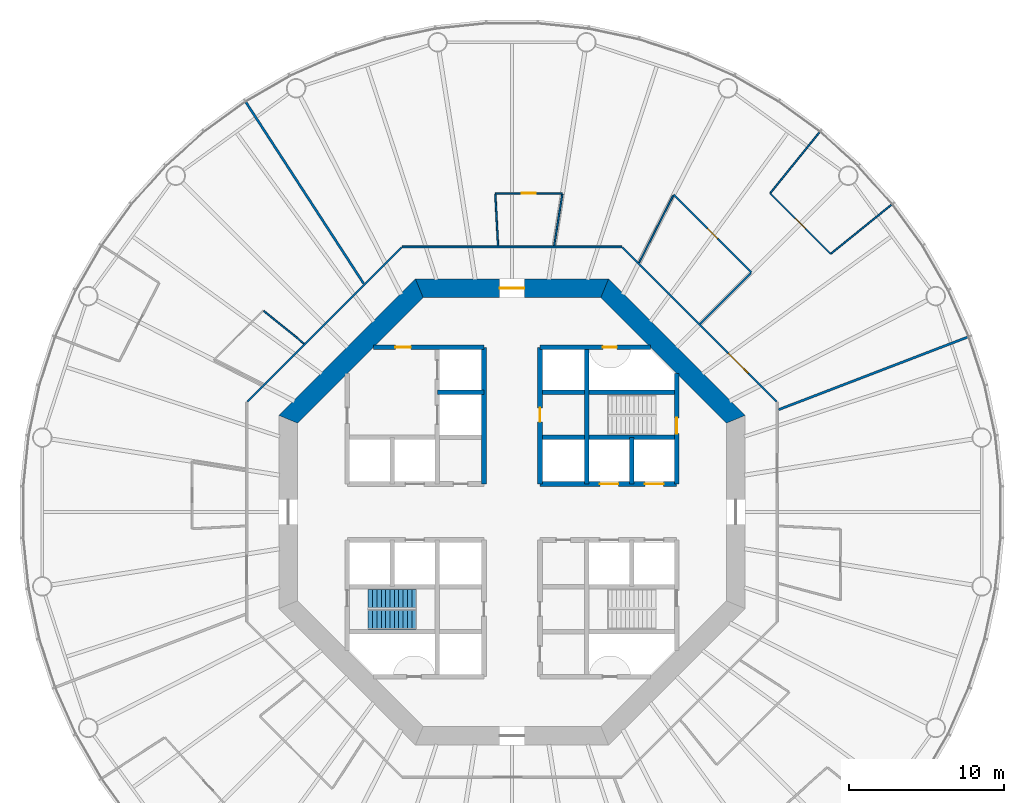
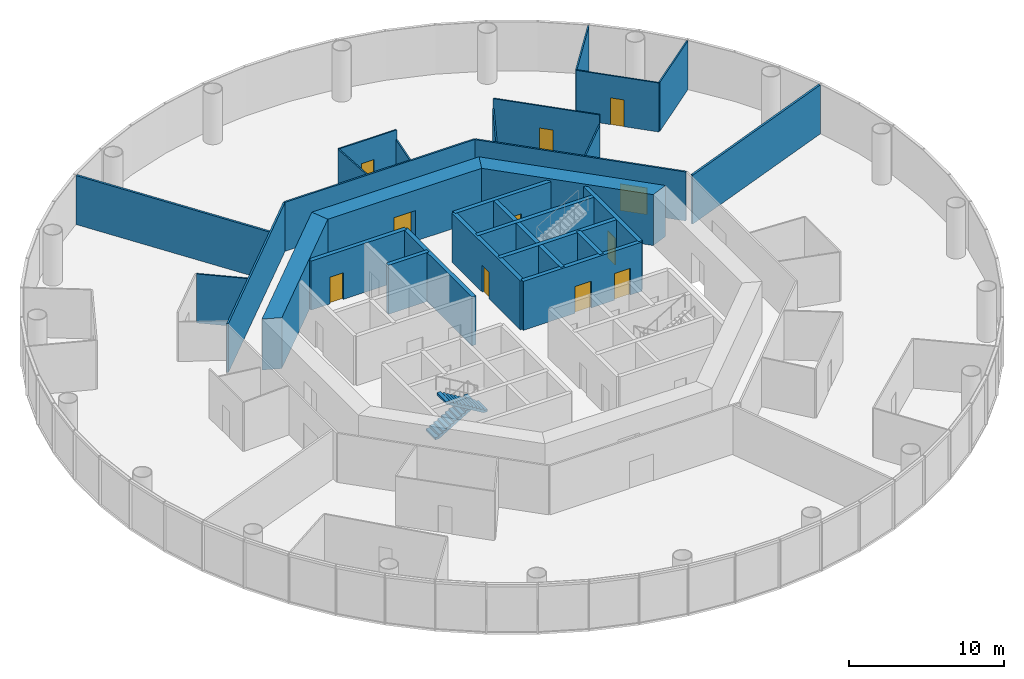
# One storey, part 5 of 13: 29 walls, 11 doors, 2 stair flights, 11 openings, 1 element without a shape of its own.
"""IFC4 building model written with IfcOpenShell, lengths in metres."""

from ifc_helpers import new_model, si_unit, direction, frame, frame_2d, origin, place, context, subcontext, project, spatial, polyline, rectangle, outline, extrude, material, layer, layer_set, type_object, element, fill, aggregate, save


model = new_model("IFC4")

# Units and contexts
model_context = context("Model", 3, precision=1e-05, world=origin(), true_north=direction((0.0, 1.0)))
body_context = subcontext(model_context, "Body", "Model", "MODEL_VIEW")
ifc_project = project(units=[si_unit("LENGTHUNIT", "METRE"), si_unit("AREAUNIT", "SQUARE_METRE"), si_unit("VOLUMEUNIT", "CUBIC_METRE"), si_unit("PLANEANGLEUNIT", "RADIAN"), si_unit("MASSUNIT", "GRAM", prefix="KILO")], contexts=[model_context])

# Site, building, storey
site_placement = place(None, origin())
site = spatial("IfcSite", under=ifc_project, at=site_placement, CompositionType="ELEMENT")
building_placement = place(site_placement, origin())
building = spatial("IfcBuilding", under=site, at=building_placement, Name="Entoto Ring Tower", CompositionType="ELEMENT")
storey_placement = place(building_placement, frame((0.0, 0.0, 104.0)))
storey = spatial("IfcBuildingStorey", under=building, at=storey_placement, Name="L23", CompositionType="ELEMENT", Elevation=104.0)

# Wall, opening, door
ifc_material_1 = material(Name="Concrete C40/50", Category="concrete")
ifc_layer_1 = layer(ifc_material_1, 0.300048828125)
ifc_layer_set_1 = layer_set([ifc_layer_1], Name="Concrete C40/50")
wall_type_1 = type_object("IfcWallType", Name="Core enclosure wall 300 mm reinforced concrete", PredefinedType="SOLIDWALL", material=ifc_layer_set_1)
wall_1_placement = place(storey_placement, frame((100.60009765625, 81.800048828125, 0.0), z_axis=(0.0, 0.0, 1.0), x_axis=(0.0, 1.0, 0.0)))
wall_1 = element("IfcWall", 1, at=wall_1_placement, inside=storey, type_object=wall_type_1, Name="wall-L23-002", PredefinedType="SOLIDWALL", context=body_context, shape_type="SweptSolid", body=[
    extrude(rectangle(XDim=7.115966796875, YDim=0.300048828125, at=frame_2d((3.55810546875, 0.0))), origin(), (0.0, 0.0, 1.0), 3.85009765625),
])
opening_1_placement = place(wall_1_placement, frame((3.25, 0.0, 0.0)))
opening_1 = element("IfcOpeningElement", 2, at=opening_1_placement, cuts=wall_1, Name="Opening K-17", PredefinedType="OPENING", context=body_context, shape_type="SweptSolid", body=[
    extrude(rectangle(XDim=1.0, YDim=2.10009765625, at=frame_2d((0.5, 1.050048828125))), frame((0.0, 0.16015625, 0.0), z_axis=(0.0, -1.0, 0.0), x_axis=(1.0, 0.0, 0.0)), (0.0, 0.0, 1.0), 0.320068359375),
])
ifc_material_2 = material(Name="Steel door leaf, fire rated", Category="steel")
ifc_layer_2 = layer(ifc_material_2, 0.050048828125)
ifc_layer_set_2 = layer_set([ifc_layer_2], Name="Steel door leaf, fire rated")
door_type_1 = type_object("IfcDoorType", Name="Fire door FD60 1000 x 2100 single leaf", OperationType="NOTDEFINED", PredefinedType="DOOR", material=ifc_layer_set_2)
door_1_placement = place(opening_1_placement, origin())
door_1 = element("IfcDoor", 3, at=door_1_placement, inside=storey, type_object=door_type_1, Name="Door K-17", OperationType="SINGLE_SWING_RIGHT", OverallHeight=2.10009765625, OverallWidth=1.0, PredefinedType="DOOR", context=body_context, shape_type="SweptSolid", body=[
    extrude(rectangle(XDim=1.0, YDim=2.10009765625, at=frame_2d((0.5, 1.050048828125))), frame((0.0, 0.02490234375, 0.0), z_axis=(0.0, -1.0, 0.0), x_axis=(1.0, 0.0, 0.0)), (0.0, 0.0, 1.0), 0.050048828125),
])
fill(opening_1, door_1)

# Walls
wall_2_placement = place(storey_placement, frame((97.699951171875, 81.800048828125, 0.0), z_axis=(0.0, 0.0, 1.0), x_axis=(0.0, 1.0, 0.0)))
element("IfcWall", 4, at=wall_2_placement, inside=storey, type_object=wall_type_1, Name="wall-L23-004", PredefinedType="SOLIDWALL", context=body_context, shape_type="SweptSolid", body=[
    extrude(rectangle(XDim=3.0, YDim=0.300048828125, at=frame_2d((1.5, 0.0))), origin(), (0.0, 0.0, 1.0), 3.85009765625),
])
wall_3_placement = place(storey_placement, frame((94.800048828125, 81.800048828125, 0.0), z_axis=(0.0, 0.0, 1.0), x_axis=(0.0, 1.0, 0.0)))
element("IfcWall", 5, at=wall_3_placement, inside=storey, type_object=wall_type_1, Name="wall-L23-006", PredefinedType="SOLIDWALL", context=body_context, shape_type="SweptSolid", body=[
    extrude(rectangle(XDim=8.800048828125, YDim=0.300048828125, at=frame_2d((4.39990234375, 0.0))), origin(), (0.0, 0.0, 1.0), 3.85009765625),
])

# Wall, opening, door
wall_4_placement = place(storey_placement, frame((91.800048828125, 81.800048828125, 0.0), z_axis=(0.0, 0.0, 1.0), x_axis=(0.0, 1.0, 0.0)))
wall_4 = element("IfcWall", 6, at=wall_4_placement, inside=storey, type_object=wall_type_1, Name="wall-L23-008", PredefinedType="SOLIDWALL", context=body_context, shape_type="SweptSolid", body=[
    extrude(rectangle(XDim=8.800048828125, YDim=0.300048828125, at=frame_2d((4.39990234375, 0.0))), origin(), (0.0, 0.0, 1.0), 3.85009765625),
])
opening_2_placement = place(wall_4_placement, frame((4.0, 0.0, 0.0)))
opening_2 = element("IfcOpeningElement", 7, at=opening_2_placement, cuts=wall_4, Name="Opening K-11", PredefinedType="OPENING", context=body_context, shape_type="SweptSolid", body=[
    extrude(rectangle(XDim=0.89990234375, YDim=2.10009765625, at=frame_2d((0.449951171875, 1.050048828125))), frame((0.0, 0.16015625, 0.0), z_axis=(0.0, -1.0, 0.0), x_axis=(1.0, 0.0, 0.0)), (0.0, 0.0, 1.0), 0.320068359375),
])
ifc_material_3 = material(Name="Steel door leaf, fire rated", Category="steel")
ifc_layer_3 = layer(ifc_material_3, 0.050048828125)
ifc_layer_set_3 = layer_set([ifc_layer_3], Name="Steel door leaf, fire rated")
door_type_2 = type_object("IfcDoorType", Name="Core door 900 x 2100 single leaf", OperationType="NOTDEFINED", PredefinedType="DOOR", material=ifc_layer_set_3)
door_2_placement = place(opening_2_placement, origin())
door_2 = element("IfcDoor", 8, at=door_2_placement, inside=storey, type_object=door_type_2, Name="Door K-11", OperationType="SINGLE_SWING_RIGHT", OverallHeight=2.10009765625, OverallWidth=0.89990234375, PredefinedType="DOOR", context=body_context, shape_type="SweptSolid", body=[
    extrude(rectangle(XDim=0.89990234375, YDim=2.10009765625, at=frame_2d((0.449951171875, 1.050048828125))), frame((0.0, 0.02490234375, 0.0), z_axis=(0.0, -1.0, 0.0), x_axis=(1.0, 0.0, 0.0)), (0.0, 0.0, 1.0), 0.050048828125),
])
fill(opening_2, door_2)

# Wall
wall_5_placement = place(storey_placement, frame((88.199951171875, 81.800048828125, 0.0), z_axis=(0.0, 0.0, 1.0), x_axis=(0.0, 1.0, 0.0)))
element("IfcWall", 9, at=wall_5_placement, inside=storey, type_object=wall_type_1, Name="wall-L23-010", PredefinedType="SOLIDWALL", context=body_context, shape_type="SweptSolid", body=[
    extrude(rectangle(XDim=8.800048828125, YDim=0.300048828125, at=frame_2d((4.39990234375, 0.0))), origin(), (0.0, 0.0, 1.0), 3.85009765625),
])

# Wall, openings, doors
wall_6_placement = place(storey_placement, frame((91.800048828125, 81.800048828125, 0.0), z_axis=(0.0, 0.0, 1.0), x_axis=(1.0, 0.0, 0.0)))
wall_6 = element("IfcWall", 10, at=wall_6_placement, inside=storey, type_object=wall_type_1, Name="wall-L23-026", PredefinedType="SOLIDWALL", context=body_context, shape_type="SweptSolid", body=[
    extrude(rectangle(XDim=8.800048828125, YDim=0.300048828125, at=frame_2d((4.39990234375, 0.0))), origin(), (0.0, 0.0, 1.0), 3.85009765625),
])
opening_3_placement = place(wall_6_placement, frame((3.85009765625, 0.0, 0.0)))
opening_3 = element("IfcOpeningElement", 11, at=opening_3_placement, cuts=wall_6, Name="Opening LD", PredefinedType="OPENING", context=body_context, shape_type="SweptSolid", body=[
    extrude(rectangle(XDim=1.199951171875, YDim=2.10009765625, at=frame_2d((0.60009765625, 1.050048828125))), frame((0.0, 0.16015625, 0.0), z_axis=(0.0, -1.0, 0.0), x_axis=(1.0, 0.0, 0.0)), (0.0, 0.0, 1.0), 0.320068359375),
])
opening_4_placement = place(wall_6_placement, frame((6.75, 0.0, 0.0)))
opening_4 = element("IfcOpeningElement", 12, at=opening_4_placement, cuts=wall_6, Name="Opening LD", PredefinedType="OPENING", context=body_context, shape_type="SweptSolid", body=[
    extrude(rectangle(XDim=1.199951171875, YDim=2.10009765625, at=frame_2d((0.60009765625, 1.050048828125))), frame((0.0, 0.16015625, 0.0), z_axis=(0.0, -1.0, 0.0), x_axis=(1.0, 0.0, 0.0)), (0.0, 0.0, 1.0), 0.320068359375),
])
ifc_material_4 = material(Name="Steel and glass door leaf", Category="steel")
ifc_layer_4 = layer(ifc_material_4, 0.050048828125)
ifc_layer_set_4 = layer_set([ifc_layer_4], Name="Steel and glass door leaf")
door_type_3 = type_object("IfcDoorType", Name="Landing door 1200 x 2100 sliding", OperationType="DOUBLE_DOOR_SLIDING", PredefinedType="DOOR", material=ifc_layer_set_4)
door_3_placement = place(opening_3_placement, origin())
door_3 = element("IfcDoor", 13, at=door_3_placement, inside=storey, type_object=door_type_3, Name="Landing door LB1-LR", OperationType="SLIDING_TO_RIGHT", OverallHeight=2.10009765625, OverallWidth=1.199951171875, PredefinedType="DOOR", context=body_context, shape_type="SweptSolid", body=[
    extrude(rectangle(XDim=1.199951171875, YDim=2.10009765625, at=frame_2d((0.60009765625, 1.050048828125))), frame((0.0, 0.02490234375, 0.0), z_axis=(0.0, -1.0, 0.0), x_axis=(1.0, 0.0, 0.0)), (0.0, 0.0, 1.0), 0.050048828125),
])
fill(opening_3, door_3)
door_4_placement = place(opening_4_placement, origin())
door_4 = element("IfcDoor", 14, at=door_4_placement, inside=storey, type_object=door_type_3, Name="Landing door LB2-LR", OperationType="SLIDING_TO_RIGHT", OverallHeight=2.10009765625, OverallWidth=1.199951171875, PredefinedType="DOOR", context=body_context, shape_type="SweptSolid", body=[
    extrude(rectangle(XDim=1.199951171875, YDim=2.10009765625, at=frame_2d((0.60009765625, 1.050048828125))), frame((0.0, 0.02490234375, 0.0), z_axis=(0.0, -1.0, 0.0), x_axis=(1.0, 0.0, 0.0)), (0.0, 0.0, 1.0), 0.050048828125),
])
fill(opening_4, door_4)

# Walls
wall_7_placement = place(storey_placement, frame((91.800048828125, 84.800048828125, 0.0), z_axis=(0.0, 0.0, 1.0), x_axis=(1.0, 0.0, 0.0)))
element("IfcWall", 15, at=wall_7_placement, inside=storey, type_object=wall_type_1, Name="wall-L23-028", PredefinedType="SOLIDWALL", context=body_context, shape_type="SweptSolid", body=[
    extrude(rectangle(XDim=8.800048828125, YDim=0.300048828125, at=frame_2d((4.39990234375, 0.0))), origin(), (0.0, 0.0, 1.0), 3.85009765625),
])
wall_8_placement = place(storey_placement, frame((85.199951171875, 87.699951171875, 0.0), z_axis=(0.0, 0.0, 1.0), x_axis=(1.0, 0.0, 0.0)))
element("IfcWall", 16, at=wall_8_placement, inside=storey, type_object=wall_type_1, Name="wall-L23-029", PredefinedType="SOLIDWALL", context=body_context, shape_type="SweptSolid", body=[
    extrude(rectangle(XDim=3.0, YDim=0.300048828125, at=frame_2d((1.5, 0.0))), origin(), (0.0, 0.0, 1.0), 3.85009765625),
])
wall_9_placement = place(storey_placement, frame((91.800048828125, 87.699951171875, 0.0), z_axis=(0.0, 0.0, 1.0), x_axis=(1.0, 0.0, 0.0)))
element("IfcWall", 17, at=wall_9_placement, inside=storey, type_object=wall_type_1, Name="wall-L23-030", PredefinedType="SOLIDWALL", context=body_context, shape_type="SweptSolid", body=[
    extrude(rectangle(XDim=8.800048828125, YDim=0.300048828125, at=frame_2d((4.39990234375, 0.0))), origin(), (0.0, 0.0, 1.0), 3.85009765625),
])

# Wall, opening, door
wall_10_placement = place(storey_placement, frame((81.083984375, 90.60009765625, 0.0), z_axis=(0.0, 0.0, 1.0), x_axis=(1.0, 0.0, 0.0)))
wall_10 = element("IfcWall", 18, at=wall_10_placement, inside=storey, type_object=wall_type_1, Name="wall-L23-031", PredefinedType="SOLIDWALL", context=body_context, shape_type="SweptSolid", body=[
    extrude(rectangle(XDim=7.115966796875, YDim=0.300048828125, at=frame_2d((3.55810546875, 0.0))), origin(), (0.0, 0.0, 1.0), 3.85009765625),
])
opening_5_placement = place(wall_10_placement, frame((1.416015625, 0.0, 0.0)))
opening_5 = element("IfcOpeningElement", 19, at=opening_5_placement, cuts=wall_10, Name="Opening K-73", PredefinedType="OPENING", context=body_context, shape_type="SweptSolid", body=[
    extrude(rectangle(XDim=1.0, YDim=2.10009765625, at=frame_2d((0.5, 1.050048828125))), frame((0.0, 0.16015625, 0.0), z_axis=(0.0, -1.0, 0.0), x_axis=(1.0, 0.0, 0.0)), (0.0, 0.0, 1.0), 0.320068359375),
])
door_5_placement = place(opening_5_placement, frame((1.0, 0.0, 0.0), z_axis=(0.0, 0.0, 1.0), x_axis=(-1.0, 0.0, 0.0)))
door_5 = element("IfcDoor", 20, at=door_5_placement, inside=storey, type_object=door_type_1, Name="Door K-73", OperationType="SINGLE_SWING_RIGHT", OverallHeight=2.10009765625, OverallWidth=1.0, PredefinedType="DOOR", context=body_context, shape_type="SweptSolid", body=[
    extrude(rectangle(XDim=1.0, YDim=2.10009765625, at=frame_2d((0.5, 1.050048828125))), frame((0.0, 0.02490234375, 0.0), z_axis=(0.0, -1.0, 0.0), x_axis=(1.0, 0.0, 0.0)), (0.0, 0.0, 1.0), 0.050048828125),
])
fill(opening_5, door_5)

wall_11_placement = place(storey_placement, frame((91.800048828125, 90.60009765625, 0.0), z_axis=(0.0, 0.0, 1.0), x_axis=(1.0, 0.0, 0.0)))
wall_11 = element("IfcWall", 21, at=wall_11_placement, inside=storey, type_object=wall_type_1, Name="wall-L23-032", PredefinedType="SOLIDWALL", context=body_context, shape_type="SweptSolid", body=[
    extrude(rectangle(XDim=7.115966796875, YDim=0.300048828125, at=frame_2d((3.55810546875, 0.0))), origin(), (0.0, 0.0, 1.0), 3.85009765625),
])
opening_6_placement = place(wall_11_placement, frame((4.050048828125, 0.0, 0.0)))
opening_6 = element("IfcOpeningElement", 22, at=opening_6_placement, cuts=wall_11, Name="Opening K-20", PredefinedType="OPENING", context=body_context, shape_type="SweptSolid", body=[
    extrude(rectangle(XDim=0.89990234375, YDim=2.10009765625, at=frame_2d((0.449951171875, 1.050048828125))), frame((0.0, 0.16015625, 0.0), z_axis=(0.0, -1.0, 0.0), x_axis=(1.0, 0.0, 0.0)), (0.0, 0.0, 1.0), 0.320068359375),
])
ifc_material_5 = material(Name="Steel door leaf, fire rated", Category="steel")
ifc_layer_5 = layer(ifc_material_5, 0.050048828125)
ifc_layer_set_5 = layer_set([ifc_layer_5], Name="Steel door leaf, fire rated")
door_type_4 = type_object("IfcDoorType", Name="Riser door FD60 900 x 2100 single leaf", OperationType="NOTDEFINED", PredefinedType="DOOR", material=ifc_layer_set_5)
door_6_placement = place(opening_6_placement, frame((0.89990234375, 0.0, 0.0), z_axis=(0.0, 0.0, 1.0), x_axis=(-1.0, 0.0, 0.0)))
door_6 = element("IfcDoor", 23, at=door_6_placement, inside=storey, type_object=door_type_4, Name="Door K-20", OperationType="SINGLE_SWING_LEFT", OverallHeight=2.10009765625, OverallWidth=0.89990234375, PredefinedType="DOOR", context=body_context, shape_type="SweptSolid", body=[
    extrude(rectangle(XDim=0.89990234375, YDim=2.10009765625, at=frame_2d((0.449951171875, 1.050048828125))), frame((0.0, 0.02490234375, 0.0), z_axis=(0.0, -1.0, 0.0), x_axis=(1.0, 0.0, 0.0)), (0.0, 0.0, 1.0), 0.050048828125),
])
fill(opening_6, door_6)

# Wall
ifc_material_6 = material(Name="Concrete C60/75", Category="concrete")
ifc_layer_6 = layer(ifc_material_6, 1.199951171875)
ifc_layer_set_6 = layer_set([ifc_layer_6], Name="Concrete C60/75")
wall_type_2 = type_object("IfcWallType", Name="Core shear wall 1200 mm reinforced concrete C60/75", PredefinedType="SHEAR", material=ifc_layer_set_6)
wall_12_placement = place(storey_placement, frame((104.39990234375, 85.964599609375, 0.0), z_axis=(0.0, 0.0, 1.0), x_axis=(-0.707106781187, 0.707106781187, 0.0)))
element("IfcWall", 24, at=wall_12_placement, inside=storey, type_object=wall_type_2, Name="wall-L23-core-1", PredefinedType="SHEAR", context=body_context, shape_type="SweptSolid", body=[
    extrude(outline(polyline([(-0.24853515625, -0.60009765625), (12.177734375, -0.60009765625), (11.6806640625, 0.60009765625), (0.24853515625, 0.60009765625), (-0.24853515625, -0.60009765625)])), origin(), (0.0, 0.0, 1.0), 4.0),
])

# Wall, opening, door
wall_13_placement = place(storey_placement, frame((95.964599609375, 94.39990234375, 0.0), z_axis=(0.0, 0.0, 1.0), x_axis=(-1.0, 0.0, 0.0)))
wall_13 = element("IfcWall", 25, at=wall_13_placement, inside=storey, type_object=wall_type_2, Name="wall-L23-core-2", PredefinedType="SHEAR", context=body_context, shape_type="SweptSolid", body=[
    extrude(outline(polyline([(-0.24853515625, -0.60009765625), (12.177734375, -0.60009765625), (11.6806640625, 0.60009765625), (0.24853515625, 0.60009765625), (-0.24853515625, -0.60009765625)])), origin(), (0.0, 0.0, 1.0), 4.0),
])
opening_7_placement = place(wall_13_placement, frame((5.164794921875, 0.0, 0.0)))
opening_7 = element("IfcOpeningElement", 26, at=opening_7_placement, cuts=wall_13, Name="Opening K-02", PredefinedType="OPENING", context=body_context, shape_type="SweptSolid", body=[
    extrude(rectangle(XDim=1.60009765625, YDim=2.39990234375, at=frame_2d((0.800048828125, 1.199951171875))), frame((0.0, 0.60986328125, 0.0), z_axis=(0.0, -1.0, 0.0), x_axis=(1.0, 0.0, 0.0)), (0.0, 0.0, 1.0), 1.219970703125),
])
ifc_material_7 = material(Name="Steel door leaf, fire rated", Category="steel")
ifc_layer_7 = layer(ifc_material_7, 0.050048828125)
ifc_layer_set_7 = layer_set([ifc_layer_7], Name="Steel door leaf, fire rated")
door_type_5 = type_object("IfcDoorType", Name="Entrance door FD60 1600 x 2400 double leaf", OperationType="DOUBLE_DOOR_SINGLE_SWING", PredefinedType="DOOR", material=ifc_layer_set_7)
door_7_placement = place(opening_7_placement, origin())
door_7 = element("IfcDoor", 27, at=door_7_placement, inside=storey, type_object=door_type_5, Name="Entrance door K-02", OperationType="DOUBLE_DOOR_SINGLE_SWING", OverallHeight=2.39990234375, OverallWidth=1.60009765625, PredefinedType="DOOR", context=body_context, shape_type="SweptSolid", body=[
    extrude(rectangle(XDim=1.60009765625, YDim=2.39990234375, at=frame_2d((0.800048828125, 1.199951171875))), frame((0.0, 0.02490234375, 0.0), z_axis=(0.0, -1.0, 0.0), x_axis=(1.0, 0.0, 0.0)), (0.0, 0.0, 1.0), 0.050048828125),
])
fill(opening_7, door_7)

# Walls
wall_14_placement = place(storey_placement, frame((84.035400390625, 94.39990234375, 0.0), z_axis=(0.0, 0.0, 1.0), x_axis=(-0.707106781187, -0.707106781187, 0.0)))
element("IfcWall", 28, at=wall_14_placement, inside=storey, type_object=wall_type_2, Name="wall-L23-core-3", PredefinedType="SHEAR", context=body_context, shape_type="SweptSolid", body=[
    extrude(outline(polyline([(-0.24853515625, -0.60009765625), (12.177734375, -0.60009765625), (11.6806640625, 0.60009765625), (0.24853515625, 0.60009765625), (-0.24853515625, -0.60009765625)])), origin(), (0.0, 0.0, 1.0), 4.0),
])
ifc_material_8 = material(Name="Fire-resisting plasterboard on steel studs", Category="steel")
ifc_layer_8 = layer(ifc_material_8, 0.125)
ifc_layer_set_8 = layer_set([ifc_layer_8], Name="Fire-resisting plasterboard on steel studs")
wall_type_3 = type_object("IfcWallType", Name="Corridor wall 125 mm one-hour plasterboard on steel studs", PredefinedType="PARTITIONING", material=ifc_layer_set_8)
wall_15_placement = place(storey_placement, frame((82.9326171875, 97.0625, 0.0), z_axis=(0.0, 0.0, 1.0), x_axis=(1.0, 0.0, 0.0)))
element("IfcWall", 29, at=wall_15_placement, inside=storey, type_object=wall_type_3, Name="partition-L23-003", PredefinedType="PARTITIONING", context=body_context, shape_type="SweptSolid", body=[
    extrude(rectangle(XDim=14.134765625, YDim=0.125, at=frame_2d((7.0673828125, 0.0))), origin(), (0.0, 0.0, 1.0), 3.85009765625),
])
wall_16_placement = place(storey_placement, frame((72.968505859375, 87.0986328125, 0.0), z_axis=(0.0, 0.0, 1.0), x_axis=(0.707106781187, 0.707106781187, 0.0)))
element("IfcWall", 30, at=wall_16_placement, inside=storey, type_object=wall_type_3, Name="partition-L23-005", PredefinedType="PARTITIONING", context=body_context, shape_type="SweptSolid", body=[
    extrude(rectangle(XDim=14.047119140625, YDim=0.125, at=frame_2d((7.0234375, 0.0))), origin(), (0.0, 0.0, 1.0), 3.85009765625),
])

# Wall, opening, door
wall_17_placement = place(storey_placement, frame((107.031494140625, 87.0986328125, 0.0), z_axis=(0.0, 0.0, 1.0), x_axis=(-0.707106781187, 0.707106781187, 0.0)))
wall_17 = element("IfcWall", 31, at=wall_17_placement, inside=storey, type_object=wall_type_3, Name="partition-L23-008", PredefinedType="PARTITIONING", context=body_context, shape_type="SweptSolid", body=[
    extrude(rectangle(XDim=14.047119140625, YDim=0.125, at=frame_2d((7.0234375, 0.0))), origin(), (0.0, 0.0, 1.0), 3.85009765625),
])
opening_8_placement = place(wall_17_placement, frame((2.58984375, 0.0, 0.0)))
opening_8 = element("IfcOpeningElement", 32, at=opening_8_placement, cuts=wall_17, Name="Opening A10-D01", PredefinedType="OPENING", context=body_context, shape_type="SweptSolid", body=[
    extrude(rectangle(XDim=1.800048828125, YDim=2.10009765625, at=frame_2d((0.89990234375, 1.050048828125))), frame((0.0, 0.072509765625, 0.0), z_axis=(0.0, -1.0, 0.0), x_axis=(1.0, 0.0, 0.0)), (0.0, 0.0, 1.0), 0.14501953125),
])
ifc_material_9 = material(Name="Fire-resisting timber door set", Category="wood")
door_type_6 = type_object("IfcDoorType", Name="Door 1800 x 2100 double leaf FD30S fire door", OperationType="DOUBLE_DOOR_SINGLE_SWING", PredefinedType="DOOR", material=ifc_material_9)
door_8_placement = place(opening_8_placement, origin())
door_8 = element("IfcDoor", 33, at=door_8_placement, inside=storey, type_object=door_type_6, Name="Door A10-D01", OperationType="DOUBLE_DOOR_SINGLE_SWING", OverallHeight=2.10009765625, OverallWidth=1.800048828125, PredefinedType="DOOR", context=body_context, shape_type="SweptSolid", body=[
    extrude(rectangle(XDim=1.800048828125, YDim=2.10009765625, at=frame_2d((0.89990234375, 1.050048828125))), frame((0.0, 0.02490234375, 0.0), z_axis=(0.0, -1.0, 0.0), x_axis=(1.0, 0.0, 0.0)), (0.0, 0.0, 1.0), 0.050048828125),
])
fill(opening_8, door_8)

ifc_material_10 = material(Name="Plasterboard on steel studs", Category="steel")
ifc_layer_9 = layer(ifc_material_10, 0.10009765625)
ifc_layer_set_9 = layer_set([ifc_layer_9], Name="Plasterboard on steel studs")
wall_type_4 = type_object("IfcWallType", Name="Partition 100 mm plasterboard on steel studs", PredefinedType="PARTITIONING", material=ifc_layer_set_9)
wall_18_placement = place(storey_placement, frame((105.40966796875, 95.40966796875, 0.0), z_axis=(0.0, 0.0, 1.0), x_axis=(-0.707124020335, 0.707089541618, 0.0)))
wall_18 = element("IfcWall", 34, at=wall_18_placement, inside=storey, type_object=wall_type_4, Name="partition-L23-015", PredefinedType="PARTITIONING", context=body_context, shape_type="SweptSolid", body=[
    extrude(rectangle(XDim=7.080810546875, YDim=0.10009765625, at=frame_2d((3.54052734375, 0.0))), origin(), (0.0, 0.0, 1.0), 3.85009765625),
])
opening_9_placement = place(wall_18_placement, frame((3.09033203125, 0.0, 0.0)))
opening_9 = element("IfcOpeningElement", 35, at=opening_9_placement, cuts=wall_18, Name="Opening A10-D02", PredefinedType="OPENING", context=body_context, shape_type="SweptSolid", body=[
    extrude(rectangle(XDim=0.89990234375, YDim=2.10009765625, at=frame_2d((0.449951171875, 1.050048828125))), frame((0.0, 0.06005859375, 0.0), z_axis=(0.0, -1.0, 0.0), x_axis=(1.0, 0.0, 0.0)), (0.0, 0.0, 1.0), 0.1201171875),
])
ifc_material_11 = material(Name="Veneered timber door leaf in timber frame", Category="wood")
door_type_7 = type_object("IfcDoorType", Name="Door 900 x 2100 single leaf timber veneer", OperationType="NOTDEFINED", PredefinedType="DOOR", material=ifc_material_11)
door_9_placement = place(opening_9_placement, origin())
door_9 = element("IfcDoor", 36, at=door_9_placement, inside=storey, type_object=door_type_7, Name="Door A10-D02", OperationType="SINGLE_SWING_RIGHT", OverallHeight=2.10009765625, OverallWidth=0.89990234375, PredefinedType="DOOR", context=body_context, shape_type="SweptSolid", body=[
    extrude(rectangle(XDim=0.89990234375, YDim=2.10009765625, at=frame_2d((0.449951171875, 1.050048828125))), frame((0.0, 0.02490234375, 0.0), z_axis=(0.0, -1.0, 0.0), x_axis=(1.0, 0.0, 0.0)), (0.0, 0.0, 1.0), 0.050048828125),
])
fill(opening_9, door_9)

wall_19_placement = place(storey_placement, frame((110.5087890625, 96.60791015625, 0.0), z_axis=(0.0, 0.0, 1.0), x_axis=(-0.707106781187, 0.707106781187, 0.0)))
wall_19 = element("IfcWall", 37, at=wall_19_placement, inside=storey, type_object=wall_type_4, Name="partition-L23-019", PredefinedType="PARTITIONING", context=body_context, shape_type="SweptSolid", body=[
    extrude(rectangle(XDim=5.5166015625, YDim=0.10009765625, at=frame_2d((2.75830078125, 0.0))), origin(), (0.0, 0.0, 1.0), 3.85009765625),
])
opening_10_placement = place(wall_19_placement, frame((2.30859375, 0.0, 0.0)))
opening_10 = element("IfcOpeningElement", 38, at=opening_10_placement, cuts=wall_19, Name="Opening A10-D04", PredefinedType="OPENING", context=body_context, shape_type="SweptSolid", body=[
    extrude(rectangle(XDim=0.89990234375, YDim=2.10009765625, at=frame_2d((0.449951171875, 1.050048828125))), frame((0.0, 0.06005859375, 0.0), z_axis=(0.0, -1.0, 0.0), x_axis=(1.0, 0.0, 0.0)), (0.0, 0.0, 1.0), 0.1201171875),
])
door_10_placement = place(opening_10_placement, frame((0.89990234375, 0.0, 0.0), z_axis=(0.0, 0.0, 1.0), x_axis=(-1.0, 0.0, 0.0)))
door_10 = element("IfcDoor", 39, at=door_10_placement, inside=storey, type_object=door_type_7, Name="Door A10-D04", OperationType="SINGLE_SWING_LEFT", OverallHeight=2.10009765625, OverallWidth=0.89990234375, PredefinedType="DOOR", context=body_context, shape_type="SweptSolid", body=[
    extrude(rectangle(XDim=0.89990234375, YDim=2.10009765625, at=frame_2d((0.449951171875, 1.050048828125))), frame((0.0, 0.02490234375, 0.0), z_axis=(0.0, -1.0, 0.0), x_axis=(1.0, 0.0, 0.0)), (0.0, 0.0, 1.0), 0.050048828125),
])
fill(opening_10, door_10)

# Walls
for number, where, z_axis, x_axis, name in (
    (40, (106.638916015625, 100.547607421875, 0.0), (0.0, 0.0, 1.0), (0.629340075028, 0.777130021273, 0.0), "partition-L23-022"),
    (41, (110.547607421875, 96.638916015625, 0.0), (0.0, 0.0, 1.0), (0.777130021273, 0.629340075028, 0.0), "partition-L23-023"),
):
    element("IfcWall", number, at=place(storey_placement, frame(where, z_axis=z_axis, x_axis=x_axis)), inside=storey, type_object=wall_type_4, Name=name, PredefinedType="PARTITIONING", context=body_context, shape_type="SweptSolid", body=[
        extrude(rectangle(XDim=5.00048828125, YDim=0.10009765625, at=frame_2d((2.500244140625, 0.0))), origin(), (0.0, 0.0, 1.0), 3.85009765625),
    ])

# Wall, opening, door
wall_20_placement = place(storey_placement, frame((88.925537109375, 100.50244140625, 0.0), z_axis=(0.0, 0.0, 1.0), x_axis=(1.0, 0.0, 0.0)))
wall_20 = element("IfcWall", 42, at=wall_20_placement, inside=storey, type_object=wall_type_4, Name="partition-L23-033", PredefinedType="PARTITIONING", context=body_context, shape_type="SweptSolid", body=[
    extrude(rectangle(XDim=4.32177734375, YDim=0.10009765625, at=frame_2d((2.160888671875, 0.0))), origin(), (0.0, 0.0, 1.0), 3.85009765625),
])
opening_11_placement = place(wall_20_placement, frame((1.7109375, 0.0, 0.0)))
opening_11 = element("IfcOpeningElement", 43, at=opening_11_placement, cuts=wall_20, Name="Opening A10-D03", PredefinedType="OPENING", context=body_context, shape_type="SweptSolid", body=[
    extrude(rectangle(XDim=0.89990234375, YDim=2.10009765625, at=frame_2d((0.449951171875, 1.050048828125))), frame((0.0, 0.06005859375, 0.0), z_axis=(0.0, -1.0, 0.0), x_axis=(1.0, 0.0, 0.0)), (0.0, 0.0, 1.0), 0.1201171875),
])
door_11_placement = place(opening_11_placement, frame((0.89990234375, 0.0, 0.0), z_axis=(0.0, 0.0, 1.0), x_axis=(-1.0, 0.0, 0.0)))
door_11 = element("IfcDoor", 44, at=door_11_placement, inside=storey, type_object=door_type_7, Name="Door A10-D03", OperationType="SINGLE_SWING_LEFT", OverallHeight=2.10009765625, OverallWidth=0.89990234375, PredefinedType="DOOR", context=body_context, shape_type="SweptSolid", body=[
    extrude(rectangle(XDim=0.89990234375, YDim=2.10009765625, at=frame_2d((0.449951171875, 1.050048828125))), frame((0.0, 0.02490234375, 0.0), z_axis=(0.0, -1.0, 0.0), x_axis=(1.0, 0.0, 0.0)), (0.0, 0.0, 1.0), 0.050048828125),
])
fill(opening_11, door_11)

# Walls
wall_21_placement = place(storey_placement, frame((76.614013671875, 90.83984375, 0.0), z_axis=(0.0, 0.0, 1.0), x_axis=(-0.777180008876, 0.629278343663, 0.0)))
element("IfcWall", 45, at=wall_21_placement, inside=storey, type_object=wall_type_4, Name="partition-L23-044", PredefinedType="PARTITIONING", context=body_context, shape_type="SweptSolid", body=[
    extrude(rectangle(XDim=3.3310546875, YDim=0.10009765625, at=frame_2d((1.66552734375, 0.0))), origin(), (0.0, 0.0, 1.0), 3.85009765625),
])
wall_22_placement = place(storey_placement, frame((89.102294921875, 97.127685546875, 0.0), z_axis=(0.0, 0.0, 1.0), x_axis=(-0.052323876368, 0.998630167761, 0.0)))
element("IfcWall", 46, at=wall_22_placement, inside=storey, type_object=wall_type_4, Name="partition-L23-045", PredefinedType="PARTITIONING", context=body_context, shape_type="SweptSolid", body=[
    extrude(rectangle(XDim=3.326904296875, YDim=0.10009765625, at=frame_2d((1.66357421875, 0.0))), origin(), (0.0, 0.0, 1.0), 3.85009765625),
])
ifc_material_12 = material(Name="Plasterboard on steel studs", Category="steel")
ifc_layer_10 = layer(ifc_material_12, 0.10009765625)
ifc_layer_set_10 = layer_set([ifc_layer_10], Name="Plasterboard on steel studs")
wall_type_5 = type_object("IfcWallType", Name="Partition 100 mm plasterboard on steel studs, 3097 mm high", PredefinedType="PARTITIONING", material=ifc_layer_set_10)
wall_23_placement = place(storey_placement, frame((98.181884765625, 96.05810546875, 0.0), z_axis=(0.0, 0.0, 1.0), x_axis=(0.454024360391, 0.890989270514, 0.0)))
element("IfcWall", 47, at=wall_23_placement, inside=storey, type_object=wall_type_5, Name="partition-L23-024", PredefinedType="PARTITIONING", context=body_context, shape_type="SweptSolid", body=[
    extrude(rectangle(XDim=4.82275390625, YDim=0.10009765625, at=frame_2d((2.411376953125, 0.0))), origin(), (0.0, 0.0, 1.0), 3.096923828125),
])
wall_24_placement = place(storey_placement, frame((102.109375, 92.109375, 0.0), z_axis=(0.0, 0.0, 1.0), x_axis=(0.707106781187, 0.707106781187, 0.0)))
element("IfcWall", 48, at=wall_24_placement, inside=storey, type_object=wall_type_5, Name="partition-L23-027", PredefinedType="PARTITIONING", context=body_context, shape_type="SweptSolid", body=[
    extrude(rectangle(XDim=4.6171875, YDim=0.10009765625, at=frame_2d((2.30859375, 0.0))), origin(), (0.0, 0.0, 1.0), 3.096923828125),
])
wall_25_placement = place(storey_placement, frame((92.713623046875, 97.1328125, 0.0), z_axis=(0.0, 0.0, 1.0), x_axis=(0.156388773261, 0.987695576379, 0.0)))
element("IfcWall", 49, at=wall_25_placement, inside=storey, type_object=wall_type_5, Name="partition-L23-043", PredefinedType="PARTITIONING", context=body_context, shape_type="SweptSolid", body=[
    extrude(rectangle(XDim=3.353271484375, YDim=0.10009765625, at=frame_2d((1.6767578125, 0.0))), origin(), (0.0, 0.0, 1.0), 3.096923828125),
])
ifc_material_13 = material(Name="Fire-resisting acoustic plasterboard on steel studs", Category="steel")
ifc_layer_11 = layer(ifc_material_13, 0.14990234375)
ifc_layer_set_11 = layer_set([ifc_layer_11], Name="Fire-resisting acoustic plasterboard on steel studs")
wall_type_6 = type_object("IfcWallType", Name="Party wall 150 mm one-hour acoustic plasterboard on steel studs", PredefinedType="PARTITIONING", material=ifc_layer_set_11)
wall_26_placement = place(storey_placement, frame((80.4560546875, 94.6962890625, 0.0), z_axis=(0.0, 0.0, 1.0), x_axis=(-0.544636211726, 0.838672401404, 0.0)))
element("IfcWall", 50, at=wall_26_placement, inside=storey, type_object=wall_type_6, Name="partition-L23-009", PredefinedType="PARTITIONING", context=body_context, shape_type="SweptSolid", body=[
    extrude(rectangle(XDim=13.916748046875, YDim=0.14990234375, at=frame_2d((6.95849609375, 0.0))), origin(), (0.0, 0.0, 1.0), 3.85009765625),
])
wall_27_placement = place(storey_placement, frame((107.151611328125, 86.583984375, 0.0), z_axis=(0.0, 0.0, 1.0), x_axis=(0.933583261388, 0.358360564315, 0.0)))
element("IfcWall", 51, at=wall_27_placement, inside=storey, type_object=wall_type_6, Name="partition-L23-012", PredefinedType="PARTITIONING", context=body_context, shape_type="SweptSolid", body=[
    extrude(rectangle(XDim=13.068115234375, YDim=0.14990234375, at=frame_2d((6.5341796875, 0.0))), origin(), (0.0, 0.0, 1.0), 3.85009765625),
])

# Stair, stair flights
ifc_material_14 = material(Name="Concrete C40/50", Category="concrete")
stair_type = type_object("IfcStairType", Name="Exit stair 1200 mm dog-leg reinforced concrete", PredefinedType="HALF_TURN_STAIR", material=ifc_material_14)
stair_placement = place(storey_placement, origin())
stair = element("IfcStair", 52, at=stair_placement, inside=storey, type_object=stair_type, Name="Exit stair 2", PredefinedType="HALF_TURN_STAIR")
ifc_material_15 = material(Name="Concrete C40/50", Category="concrete")
stair_flight_type = type_object("IfcStairFlightType", Name="Stair flight 1200 mm reinforced concrete", PredefinedType="STRAIGHT", material=ifc_material_15)
stair_flight_1_placement = place(storey_placement, frame((80.75, 74.449951171875, 0.0), z_axis=(0.0, 0.0, 1.0), x_axis=(1.0, 0.0, 0.0)))
stair_flight_1 = element("IfcStairFlight", 53, at=stair_flight_1_placement, type_object=stair_flight_type, Name="ST2 flight 1", NumberOfRisers=12, NumberOfTreads=11, PredefinedType="STRAIGHT", RiserHeight=0.166666667, TreadLength=0.28, context=body_context, shape_type="SweptSolid", body=[
    extrude(outline(polyline([(0.0, 0.0), (0.0, 0.166748046875), (0.280029296875, 0.166748046875), (0.280029296875, 0.333251953125), (0.56005859375, 0.333251953125), (0.56005859375, 0.5), (0.840087890625, 0.5), (0.840087890625, 0.666748046875), (1.1201171875, 0.666748046875), (1.1201171875, 0.833251953125), (1.39990234375, 0.833251953125), (1.39990234375, 1.0), (1.679931640625, 1.0), (1.679931640625, 1.166748046875), (1.9599609375, 1.166748046875), (1.9599609375, 1.333251953125), (2.239990234375, 1.333251953125), (2.239990234375, 1.5), (2.52001953125, 1.5), (2.52001953125, 1.666748046875), (2.800048828125, 1.666748046875), (2.800048828125, 1.833251953125), (3.080078125, 1.833251953125), (3.080078125, 2.0), (3.080078125, 1.658935546875), (0.29296875, 0.0), (0.0, 0.0)])), frame((0.0, 0.60009765625, 0.0), z_axis=(0.0, -1.0, 0.0), x_axis=(1.0, 0.0, 0.0)), (0.0, 0.0, 1.0), 1.199951171875),
])
stair_flight_2_placement = place(storey_placement, frame((83.830078125, 73.050048828125, 2.0), z_axis=(0.0, 0.0, 1.0), x_axis=(-1.0, 0.0, 0.0)))
stair_flight_2 = element("IfcStairFlight", 54, at=stair_flight_2_placement, type_object=stair_flight_type, Name="ST2 flight 2", NumberOfRisers=12, NumberOfTreads=11, PredefinedType="STRAIGHT", RiserHeight=0.166666667, TreadLength=0.28, context=body_context, shape_type="SweptSolid", body=[
    extrude(outline(polyline([(0.0, 0.0), (0.0, 0.166748046875), (0.280029296875, 0.166748046875), (0.280029296875, 0.333251953125), (0.56005859375, 0.333251953125), (0.56005859375, 0.5), (0.840087890625, 0.5), (0.840087890625, 0.666748046875), (1.1201171875, 0.666748046875), (1.1201171875, 0.833251953125), (1.39990234375, 0.833251953125), (1.39990234375, 1.0), (1.679931640625, 1.0), (1.679931640625, 1.166748046875), (1.9599609375, 1.166748046875), (1.9599609375, 1.333251953125), (2.239990234375, 1.333251953125), (2.239990234375, 1.5), (2.52001953125, 1.5), (2.52001953125, 1.666748046875), (2.800048828125, 1.666748046875), (2.800048828125, 1.833251953125), (3.080078125, 1.833251953125), (3.080078125, 2.0), (3.080078125, 1.658935546875), (0.29296875, 0.0), (0.0, 0.0)])), frame((0.0, 0.60009765625, 0.0), z_axis=(0.0, -1.0, 0.0), x_axis=(1.0, 0.0, 0.0)), (0.0, 0.0, 1.0), 1.199951171875),
])
aggregate(stair, [stair_flight_1, stair_flight_2])

save(model, "model.ifc")
